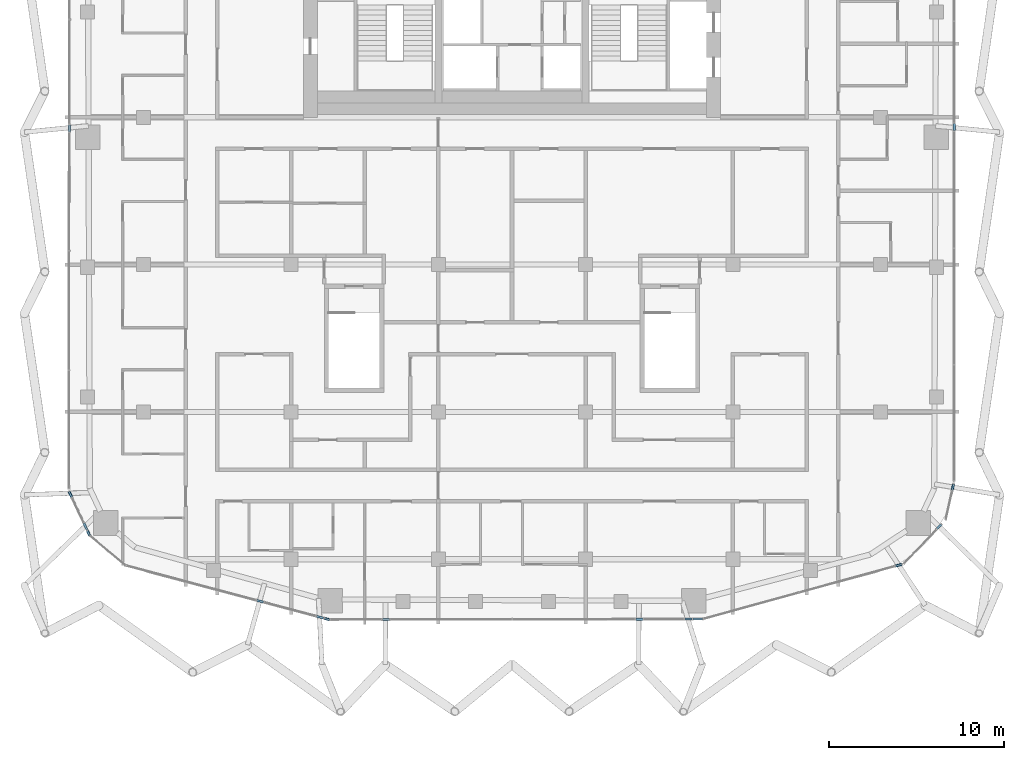
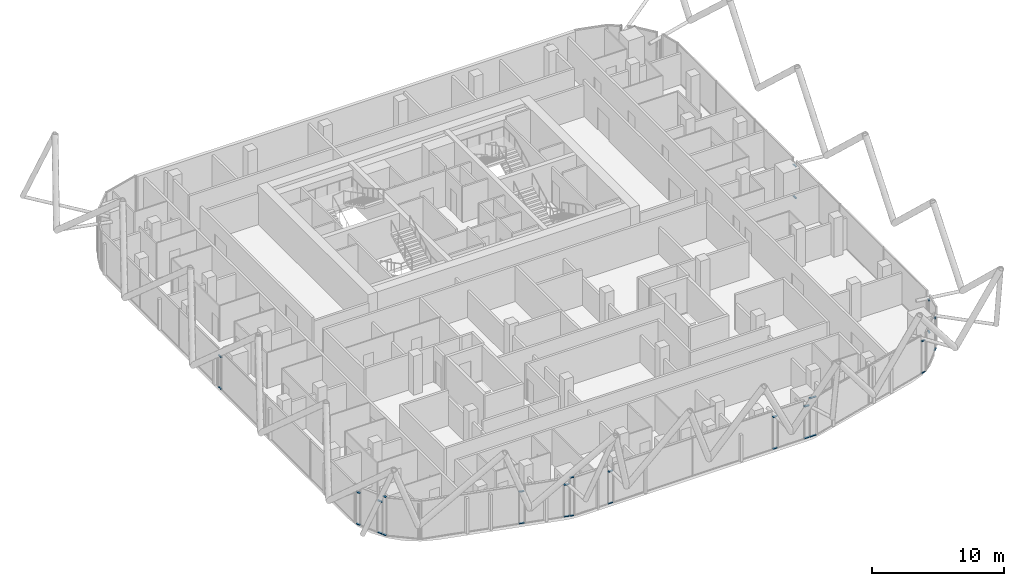
# One storey, part 14 of 33: 30 members, 15 elements without a shape of their own.
"""IFC4 building model written with IfcOpenShell, lengths in metres."""

from ifc_helpers import new_model, si_unit, direction, frame, origin, origin_2d, place, context, subcontext, project, spatial, rectangle, extrude, material, layer, layer_set, material_profile, profile_set, type_object, element, aggregate, save


model = new_model("IFC4")

# Units and contexts
model_context = context("Model", 3, precision=1e-05, world=origin(), true_north=direction((0.0, 1.0)))
body_context = subcontext(model_context, "Body", "Model", "MODEL_VIEW")
ifc_project = project(units=[si_unit("LENGTHUNIT", "METRE"), si_unit("AREAUNIT", "SQUARE_METRE"), si_unit("VOLUMEUNIT", "CUBIC_METRE"), si_unit("PLANEANGLEUNIT", "RADIAN"), si_unit("MASSUNIT", "GRAM", prefix="KILO")], contexts=[model_context])

# Site, building, storey
site_placement = place(None, origin())
site = spatial("IfcSite", under=ifc_project, at=site_placement, CompositionType="ELEMENT")
building_placement = place(site_placement, origin())
building = spatial("IfcBuilding", under=site, at=building_placement, Name="Marenta Gate Hotel Tower", CompositionType="ELEMENT")
storey_placement = place(building_placement, frame((0.0, 0.0, 248.89990234375)))
storey = spatial("IfcBuildingStorey", under=building, at=storey_placement, Name="L59", CompositionType="ELEMENT", Elevation=248.89990234375)

# Curtain wall, members
ifc_material_1 = material(Name="Tinted insulated glass in bronze anodised frame", Category="glass")
ifc_layer = layer(ifc_material_1, 0.1201171875)
ifc_layer_set = layer_set([ifc_layer], Name="Tinted insulated glass in bronze anodised frame")
curtain_wall_type = type_object("IfcCurtainWallType", Name="Tower unitised curtain wall CW1", PredefinedType="NOTDEFINED", material=ifc_layer_set)
curtain_wall_1_placement = place(storey_placement, origin())
curtain_wall_1 = element("IfcCurtainWall", 1, at=curtain_wall_1_placement, inside=storey, type_object=curtain_wall_type, Name="CW1 run G07", PredefinedType="NOTDEFINED")
ifc_material_2 = material(Name="Bronze anodised aluminium", Category="aluminium")
ifc_material_profile = material_profile(ifc_material_2, rectangle(XDim=0.1201171875, YDim=0.06005859375, at=origin_2d()), Name="Transom CW1 60x120 bronze anodised aluminium")
ifc_profile_set = profile_set([ifc_material_profile], Name="Bronze anodised aluminium")
member_type = type_object("IfcMemberType", Name="Transom CW1 60x120 bronze anodised aluminium", PredefinedType="USERDEFINED", material=ifc_profile_set)
member_1_placement = place(storey_placement, frame((-25.240478515625, -0.430419921875, 0.030029296875), z_axis=(-0.001235329508, -0.99999923698, 0.0), x_axis=(0.99999923698, -0.001235329508, 0.0)))
member_1 = element("IfcMember", 2, at=member_1_placement, type_object=member_type, Name="CW1 transom 1.1", ObjectType="TRANSOM", PredefinedType="USERDEFINED", context=body_context, shape_type="SweptSolid", body=[
    extrude(rectangle(XDim=0.1201171875, YDim=0.06005859375, at=origin_2d()), origin(), (0.0, 0.0, 1.0), 0.395263671875),
])
member_2_placement = place(storey_placement, frame((-25.240478515625, -0.430419921875, 2.970703125), z_axis=(-0.001235329508, -0.99999923698, 0.0), x_axis=(0.99999923698, -0.001235329508, 0.0)))
member_2 = element("IfcMember", 3, at=member_2_placement, type_object=member_type, Name="CW1 transom 1.2", ObjectType="TRANSOM", PredefinedType="USERDEFINED", context=body_context, shape_type="SweptSolid", body=[
    extrude(rectangle(XDim=0.1201171875, YDim=0.06005859375, at=origin_2d()), origin(), (0.0, 0.0, 1.0), 0.395263671875),
])
aggregate(curtain_wall_1, [member_1, member_2])

curtain_wall_2_placement = place(storey_placement, origin())
curtain_wall_2 = element("IfcCurtainWall", 4, at=curtain_wall_2_placement, inside=storey, type_object=curtain_wall_type, Name="CW1 run G09", PredefinedType="NOTDEFINED")
member_3_placement = place(storey_placement, frame((-25.24755859375, -21.34814453125, 0.030029296875), z_axis=(0.423272916218, -0.906002228693, 0.0), x_axis=(0.906002228693, 0.423272916218, 0.0)))
member_3 = element("IfcMember", 5, at=member_3_placement, type_object=member_type, Name="CW1 transom 1.1", ObjectType="TRANSOM", PredefinedType="USERDEFINED", context=body_context, shape_type="SweptSolid", body=[
    extrude(rectangle(XDim=0.1201171875, YDim=0.06005859375, at=origin_2d()), origin(), (0.0, 0.0, 1.0), 0.344970703125),
])
member_4_placement = place(storey_placement, frame((-25.24755859375, -21.34814453125, 2.970703125), z_axis=(0.423272916218, -0.906002228693, 0.0), x_axis=(0.906002228693, 0.423272916218, 0.0)))
member_4 = element("IfcMember", 6, at=member_4_placement, type_object=member_type, Name="CW1 transom 1.2", ObjectType="TRANSOM", PredefinedType="USERDEFINED", context=body_context, shape_type="SweptSolid", body=[
    extrude(rectangle(XDim=0.1201171875, YDim=0.06005859375, at=origin_2d()), origin(), (0.0, 0.0, 1.0), 0.344970703125),
])
aggregate(curtain_wall_2, [member_3, member_4])

curtain_wall_3_placement = place(storey_placement, origin())
curtain_wall_3 = element("IfcCurtainWall", 7, at=curtain_wall_3_placement, inside=storey, type_object=curtain_wall_type, Name="CW1 run G11", PredefinedType="NOTDEFINED")
member_5_placement = place(storey_placement, frame((-24.406005859375, -23.14892578125, 0.030029296875), z_axis=(0.42333108841, -0.905975049097, 0.0), x_axis=(0.905975049097, 0.42333108841, 0.0)))
member_5 = element("IfcMember", 8, at=member_5_placement, type_object=member_type, Name="CW1 transom 1.1", ObjectType="TRANSOM", PredefinedType="USERDEFINED", context=body_context, shape_type="SweptSolid", body=[
    extrude(rectangle(XDim=0.1201171875, YDim=0.06005859375, at=origin_2d()), origin(), (0.0, 0.0, 1.0), 0.419921875),
])
member_6_placement = place(storey_placement, frame((-24.406005859375, -23.14892578125, 2.970703125), z_axis=(0.42333108841, -0.905975049097, 0.0), x_axis=(0.905975049097, 0.42333108841, 0.0)))
member_6 = element("IfcMember", 9, at=member_6_placement, type_object=member_type, Name="CW1 transom 1.2", ObjectType="TRANSOM", PredefinedType="USERDEFINED", context=body_context, shape_type="SweptSolid", body=[
    extrude(rectangle(XDim=0.1201171875, YDim=0.06005859375, at=origin_2d()), origin(), (0.0, 0.0, 1.0), 0.419921875),
])
aggregate(curtain_wall_3, [member_5, member_6])

curtain_wall_4_placement = place(storey_placement, origin())
curtain_wall_4 = element("IfcCurtainWall", 10, at=curtain_wall_4_placement, inside=storey, type_object=curtain_wall_type, Name="CW1 run G12", PredefinedType="NOTDEFINED")
member_7_placement = place(storey_placement, frame((-24.202880859375, -23.583740234375, 0.030029296875), z_axis=(0.422602733719, -0.90631502771, 0.0), x_axis=(0.90631502771, 0.422602733719, 0.0)))
member_7 = element("IfcMember", 11, at=member_7_placement, type_object=member_type, Name="CW1 transom 1.1", ObjectType="TRANSOM", PredefinedType="USERDEFINED", context=body_context, shape_type="SweptSolid", body=[
    extrude(rectangle(XDim=0.1201171875, YDim=0.06005859375, at=origin_2d()), origin(), (0.0, 0.0, 1.0), 0.28369140625),
])
member_8_placement = place(storey_placement, frame((-24.202880859375, -23.583740234375, 3.570068359375), z_axis=(0.422602733719, -0.90631502771, 0.0), x_axis=(0.90631502771, 0.422602733719, 0.0)))
member_8 = element("IfcMember", 12, at=member_8_placement, type_object=member_type, Name="CW1 transom 1.2", ObjectType="TRANSOM", PredefinedType="USERDEFINED", context=body_context, shape_type="SweptSolid", body=[
    extrude(rectangle(XDim=0.1201171875, YDim=0.06005859375, at=origin_2d()), origin(), (0.0, 0.0, 1.0), 0.28369140625),
])
aggregate(curtain_wall_4, [member_7, member_8])

curtain_wall_5_placement = place(storey_placement, origin())
curtain_wall_5 = element("IfcCurtainWall", 13, at=curtain_wall_5_placement, inside=storey, type_object=curtain_wall_type, Name="CW1 run G15", PredefinedType="NOTDEFINED")
member_9_placement = place(storey_placement, frame((-14.55029296875, -27.544677734375, 0.030029296875), z_axis=(0.966379102199, -0.257121432076, 0.0), x_axis=(0.257121432076, 0.966379102199, 0.0)))
member_9 = element("IfcMember", 14, at=member_9_placement, type_object=member_type, Name="CW1 transom 1.1", ObjectType="TRANSOM", PredefinedType="USERDEFINED", context=body_context, shape_type="SweptSolid", body=[
    extrude(rectangle(XDim=0.1201171875, YDim=0.06005859375, at=origin_2d()), origin(), (0.0, 0.0, 1.0), 0.39306640625),
])
member_10_placement = place(storey_placement, frame((-14.55029296875, -27.544677734375, 2.970703125), z_axis=(0.966379102199, -0.257121432076, 0.0), x_axis=(0.257121432076, 0.966379102199, 0.0)))
member_10 = element("IfcMember", 15, at=member_10_placement, type_object=member_type, Name="CW1 transom 1.2", ObjectType="TRANSOM", PredefinedType="USERDEFINED", context=body_context, shape_type="SweptSolid", body=[
    extrude(rectangle(XDim=0.1201171875, YDim=0.06005859375, at=origin_2d()), origin(), (0.0, 0.0, 1.0), 0.39306640625),
])
aggregate(curtain_wall_5, [member_9, member_10])

curtain_wall_6_placement = place(storey_placement, origin())
curtain_wall_6 = element("IfcCurtainWall", 16, at=curtain_wall_6_placement, inside=storey, type_object=curtain_wall_type, Name="CW1 run G17", PredefinedType="NOTDEFINED")
member_11_placement = place(storey_placement, frame((-11.14599609375, -28.450439453125, 0.030029296875), z_axis=(0.966332370191, -0.25729700799, 0.0), x_axis=(0.25729700799, 0.966332370191, 0.0)))
member_11 = element("IfcMember", 17, at=member_11_placement, type_object=member_type, Name="CW1 transom 1.1", ObjectType="TRANSOM", PredefinedType="USERDEFINED", context=body_context, shape_type="SweptSolid", body=[
    extrude(rectangle(XDim=0.1201171875, YDim=0.06005859375, at=origin_2d()), origin(), (0.0, 0.0, 1.0), 0.41552734375),
])
member_12_placement = place(storey_placement, frame((-11.14599609375, -28.450439453125, 2.970703125), z_axis=(0.966332370191, -0.25729700799, 0.0), x_axis=(0.25729700799, 0.966332370191, 0.0)))
member_12 = element("IfcMember", 18, at=member_12_placement, type_object=member_type, Name="CW1 transom 1.2", ObjectType="TRANSOM", PredefinedType="USERDEFINED", context=body_context, shape_type="SweptSolid", body=[
    extrude(rectangle(XDim=0.1201171875, YDim=0.06005859375, at=origin_2d()), origin(), (0.0, 0.0, 1.0), 0.41552734375),
])
aggregate(curtain_wall_6, [member_11, member_12])

curtain_wall_7_placement = place(storey_placement, origin())
curtain_wall_7 = element("IfcCurtainWall", 19, at=curtain_wall_7_placement, inside=storey, type_object=curtain_wall_type, Name="CW1 run G18", PredefinedType="NOTDEFINED")
member_13_placement = place(storey_placement, frame((-10.686279296875, -28.57275390625, 0.030029296875), z_axis=(0.966262873917, -0.257557874058, 0.0), x_axis=(0.257557874058, 0.966262873917, 0.0)))
member_13 = element("IfcMember", 20, at=member_13_placement, type_object=member_type, Name="CW1 transom 1.1", ObjectType="TRANSOM", PredefinedType="USERDEFINED", context=body_context, shape_type="SweptSolid", body=[
    extrude(rectangle(XDim=0.1201171875, YDim=0.06005859375, at=origin_2d()), origin(), (0.0, 0.0, 1.0), 0.2900390625),
])
member_14_placement = place(storey_placement, frame((-10.686279296875, -28.57275390625, 3.570068359375), z_axis=(0.966262873917, -0.257557874058, 0.0), x_axis=(0.257557874058, 0.966262873917, 0.0)))
member_14 = element("IfcMember", 21, at=member_14_placement, type_object=member_type, Name="CW1 transom 1.2", ObjectType="TRANSOM", PredefinedType="USERDEFINED", context=body_context, shape_type="SweptSolid", body=[
    extrude(rectangle(XDim=0.1201171875, YDim=0.06005859375, at=origin_2d()), origin(), (0.0, 0.0, 1.0), 0.2900390625),
])
aggregate(curtain_wall_7, [member_13, member_14])

curtain_wall_8_placement = place(storey_placement, origin())
curtain_wall_8 = element("IfcCurtainWall", 22, at=curtain_wall_8_placement, inside=storey, type_object=curtain_wall_type, Name="CW1 run G20", PredefinedType="NOTDEFINED")
member_15_placement = place(storey_placement, frame((-7.3828125, -28.642578125, 0.030029296875), z_axis=(0.99999826396, 0.001863350802, 0.0), x_axis=(-0.001863350802, 0.99999826396, 0.0)))
member_15 = element("IfcMember", 23, at=member_15_placement, type_object=member_type, Name="CW1 transom 1.1", ObjectType="TRANSOM", PredefinedType="USERDEFINED", context=body_context, shape_type="SweptSolid", body=[
    extrude(rectangle(XDim=0.1201171875, YDim=0.06005859375, at=origin_2d()), origin(), (0.0, 0.0, 1.0), 0.39306640625),
])
member_16_placement = place(storey_placement, frame((-7.3828125, -28.642578125, 2.970703125), z_axis=(0.99999826396, 0.001863350802, 0.0), x_axis=(-0.001863350802, 0.99999826396, 0.0)))
member_16 = element("IfcMember", 24, at=member_16_placement, type_object=member_type, Name="CW1 transom 1.2", ObjectType="TRANSOM", PredefinedType="USERDEFINED", context=body_context, shape_type="SweptSolid", body=[
    extrude(rectangle(XDim=0.1201171875, YDim=0.06005859375, at=origin_2d()), origin(), (0.0, 0.0, 1.0), 0.39306640625),
])
aggregate(curtain_wall_8, [member_15, member_16])

curtain_wall_9_placement = place(storey_placement, origin())
curtain_wall_9 = element("IfcCurtainWall", 25, at=curtain_wall_9_placement, inside=storey, type_object=curtain_wall_type, Name="CW1 run G22", PredefinedType="NOTDEFINED")
member_17_placement = place(storey_placement, frame((7.069580078125, -28.618896484375, 0.030029296875), z_axis=(0.999998261802, 0.001864508878, 0.0), x_axis=(-0.001864508878, 0.999998261802, 0.0)))
member_17 = element("IfcMember", 26, at=member_17_placement, type_object=member_type, Name="CW1 transom 1.1", ObjectType="TRANSOM", PredefinedType="USERDEFINED", context=body_context, shape_type="SweptSolid", body=[
    extrude(rectangle(XDim=0.1201171875, YDim=0.06005859375, at=origin_2d()), origin(), (0.0, 0.0, 1.0), 0.392822265625),
])
member_18_placement = place(storey_placement, frame((7.069580078125, -28.618896484375, 2.970703125), z_axis=(0.999998261802, 0.001864508878, 0.0), x_axis=(-0.001864508878, 0.999998261802, 0.0)))
member_18 = element("IfcMember", 27, at=member_18_placement, type_object=member_type, Name="CW1 transom 1.2", ObjectType="TRANSOM", PredefinedType="USERDEFINED", context=body_context, shape_type="SweptSolid", body=[
    extrude(rectangle(XDim=0.1201171875, YDim=0.06005859375, at=origin_2d()), origin(), (0.0, 0.0, 1.0), 0.392822265625),
])
aggregate(curtain_wall_9, [member_17, member_18])

curtain_wall_10_placement = place(storey_placement, origin())
curtain_wall_10 = element("IfcCurtainWall", 28, at=curtain_wall_10_placement, inside=storey, type_object=curtain_wall_type, Name="CW1 run G24", PredefinedType="NOTDEFINED")
member_19_placement = place(storey_placement, frame((9.85498046875, -28.6142578125, 0.030029296875), z_axis=(0.9999984374, 0.001767822812, 0.0), x_axis=(-0.001767822812, 0.9999984374, 0.0)))
member_19 = element("IfcMember", 29, at=member_19_placement, type_object=member_type, Name="CW1 transom 1.1", ObjectType="TRANSOM", PredefinedType="USERDEFINED", context=body_context, shape_type="SweptSolid", body=[
    extrude(rectangle(XDim=0.1201171875, YDim=0.06005859375, at=origin_2d()), origin(), (0.0, 0.0, 1.0), 0.414306640625),
])
member_20_placement = place(storey_placement, frame((9.85498046875, -28.6142578125, 2.970703125), z_axis=(0.9999984374, 0.001767822812, 0.0), x_axis=(-0.001767822812, 0.9999984374, 0.0)))
member_20 = element("IfcMember", 30, at=member_20_placement, type_object=member_type, Name="CW1 transom 1.2", ObjectType="TRANSOM", PredefinedType="USERDEFINED", context=body_context, shape_type="SweptSolid", body=[
    extrude(rectangle(XDim=0.1201171875, YDim=0.06005859375, at=origin_2d()), origin(), (0.0, 0.0, 1.0), 0.414306640625),
])
aggregate(curtain_wall_10, [member_19, member_20])

curtain_wall_11_placement = place(storey_placement, origin())
curtain_wall_11 = element("IfcCurtainWall", 31, at=curtain_wall_11_placement, inside=storey, type_object=curtain_wall_type, Name="CW1 run G25", PredefinedType="NOTDEFINED")
member_21_placement = place(storey_placement, frame((10.3291015625, -28.61328125, 0.030029296875), z_axis=(0.999999095908, 0.001344687265, 0.0), x_axis=(-0.001344687265, 0.999999095908, 0.0)))
member_21 = element("IfcMember", 32, at=member_21_placement, type_object=member_type, Name="CW1 transom 1.1", ObjectType="TRANSOM", PredefinedType="USERDEFINED", context=body_context, shape_type="SweptSolid", body=[
    extrude(rectangle(XDim=0.1201171875, YDim=0.06005859375, at=origin_2d()), origin(), (0.0, 0.0, 1.0), 0.544677734375),
])
member_22_placement = place(storey_placement, frame((10.3291015625, -28.61328125, 3.570068359375), z_axis=(0.999999095908, 0.001344687265, 0.0), x_axis=(-0.001344687265, 0.999999095908, 0.0)))
member_22 = element("IfcMember", 33, at=member_22_placement, type_object=member_type, Name="CW1 transom 1.2", ObjectType="TRANSOM", PredefinedType="USERDEFINED", context=body_context, shape_type="SweptSolid", body=[
    extrude(rectangle(XDim=0.1201171875, YDim=0.06005859375, at=origin_2d()), origin(), (0.0, 0.0, 1.0), 0.544677734375),
])
aggregate(curtain_wall_11, [member_21, member_22])

curtain_wall_12_placement = place(storey_placement, origin())
curtain_wall_12 = element("IfcCurtainWall", 34, at=curtain_wall_12_placement, inside=storey, type_object=curtain_wall_type, Name="CW1 run G27", PredefinedType="NOTDEFINED")
member_23_placement = place(storey_placement, frame((21.87744140625, -25.584716796875, 0.030029296875), z_axis=(0.964240401842, 0.26502914454, 0.0), x_axis=(-0.26502914454, 0.964240401842, 0.0)))
member_23 = element("IfcMember", 35, at=member_23_placement, type_object=member_type, Name="CW1 transom 1.1", ObjectType="TRANSOM", PredefinedType="USERDEFINED", context=body_context, shape_type="SweptSolid", body=[
    extrude(rectangle(XDim=0.1201171875, YDim=0.06005859375, at=origin_2d()), origin(), (0.0, 0.0, 1.0), 0.3564453125),
])
member_24_placement = place(storey_placement, frame((21.87744140625, -25.584716796875, 2.970703125), z_axis=(0.964240401842, 0.26502914454, 0.0), x_axis=(-0.26502914454, 0.964240401842, 0.0)))
member_24 = element("IfcMember", 36, at=member_24_placement, type_object=member_type, Name="CW1 transom 1.2", ObjectType="TRANSOM", PredefinedType="USERDEFINED", context=body_context, shape_type="SweptSolid", body=[
    extrude(rectangle(XDim=0.1201171875, YDim=0.06005859375, at=origin_2d()), origin(), (0.0, 0.0, 1.0), 0.3564453125),
])
aggregate(curtain_wall_12, [member_23, member_24])

curtain_wall_13_placement = place(storey_placement, origin())
curtain_wall_13 = element("IfcCurtainWall", 37, at=curtain_wall_13_placement, inside=storey, type_object=curtain_wall_type, Name="CW1 run G29", PredefinedType="NOTDEFINED")
member_25_placement = place(storey_placement, frame((24.244873046875, -23.461669921875, 0.030029296875), z_axis=(0.692669135562, 0.721255480839, 0.0), x_axis=(-0.721255480839, 0.692669135562, 0.0)))
member_25 = element("IfcMember", 38, at=member_25_placement, type_object=member_type, Name="CW1 transom 1.1", ObjectType="TRANSOM", PredefinedType="USERDEFINED", context=body_context, shape_type="SweptSolid", body=[
    extrude(rectangle(XDim=0.1201171875, YDim=0.06005859375, at=origin_2d()), origin(), (0.0, 0.0, 1.0), 0.3330078125),
])
member_26_placement = place(storey_placement, frame((24.244873046875, -23.461669921875, 2.970703125), z_axis=(0.692669135562, 0.721255480839, 0.0), x_axis=(-0.721255480839, 0.692669135562, 0.0)))
member_26 = element("IfcMember", 39, at=member_26_placement, type_object=member_type, Name="CW1 transom 1.2", ObjectType="TRANSOM", PredefinedType="USERDEFINED", context=body_context, shape_type="SweptSolid", body=[
    extrude(rectangle(XDim=0.1201171875, YDim=0.06005859375, at=origin_2d()), origin(), (0.0, 0.0, 1.0), 0.3330078125),
])
aggregate(curtain_wall_13, [member_25, member_26])

curtain_wall_14_placement = place(storey_placement, origin())
curtain_wall_14 = element("IfcCurtainWall", 40, at=curtain_wall_14_placement, inside=storey, type_object=curtain_wall_type, Name="CW1 run G31", PredefinedType="NOTDEFINED")
member_27_placement = place(storey_placement, frame((25.1005859375, -21.254638671875, 0.030029296875), z_axis=(0.216620497047, 0.976255888719, 0.0), x_axis=(-0.976255888719, 0.216620497047, 0.0)))
member_27 = element("IfcMember", 41, at=member_27_placement, type_object=member_type, Name="CW1 transom 1.1", ObjectType="TRANSOM", PredefinedType="USERDEFINED", context=body_context, shape_type="SweptSolid", body=[
    extrude(rectangle(XDim=0.1201171875, YDim=0.06005859375, at=origin_2d()), origin(), (0.0, 0.0, 1.0), 0.33349609375),
])
member_28_placement = place(storey_placement, frame((25.1005859375, -21.254638671875, 2.970703125), z_axis=(0.216620497047, 0.976255888719, 0.0), x_axis=(-0.976255888719, 0.216620497047, 0.0)))
member_28 = element("IfcMember", 42, at=member_28_placement, type_object=member_type, Name="CW1 transom 1.2", ObjectType="TRANSOM", PredefinedType="USERDEFINED", context=body_context, shape_type="SweptSolid", body=[
    extrude(rectangle(XDim=0.1201171875, YDim=0.06005859375, at=origin_2d()), origin(), (0.0, 0.0, 1.0), 0.33349609375),
])
aggregate(curtain_wall_14, [member_27, member_28])

curtain_wall_15_placement = place(storey_placement, origin())
curtain_wall_15 = element("IfcCurtainWall", 43, at=curtain_wall_15_placement, inside=storey, type_object=curtain_wall_type, Name="CW1 run G33", PredefinedType="NOTDEFINED")
member_29_placement = place(storey_placement, frame((25.214111328125, -0.762939453125, 0.030029296875), z_axis=(0.0, 1.0, 0.0), x_axis=(-1.0, 0.0, 0.0)))
member_29 = element("IfcMember", 44, at=member_29_placement, type_object=member_type, Name="CW1 transom 1.1", ObjectType="TRANSOM", PredefinedType="USERDEFINED", context=body_context, shape_type="SweptSolid", body=[
    extrude(rectangle(XDim=0.1201171875, YDim=0.06005859375, at=origin_2d()), origin(), (0.0, 0.0, 1.0), 0.39501953125),
])
member_30_placement = place(storey_placement, frame((25.214111328125, -0.762939453125, 2.970703125), z_axis=(0.0, 1.0, 0.0), x_axis=(-1.0, 0.0, 0.0)))
member_30 = element("IfcMember", 45, at=member_30_placement, type_object=member_type, Name="CW1 transom 1.2", ObjectType="TRANSOM", PredefinedType="USERDEFINED", context=body_context, shape_type="SweptSolid", body=[
    extrude(rectangle(XDim=0.1201171875, YDim=0.06005859375, at=origin_2d()), origin(), (0.0, 0.0, 1.0), 0.39501953125),
])
aggregate(curtain_wall_15, [member_29, member_30])

save(model, "model.ifc")
